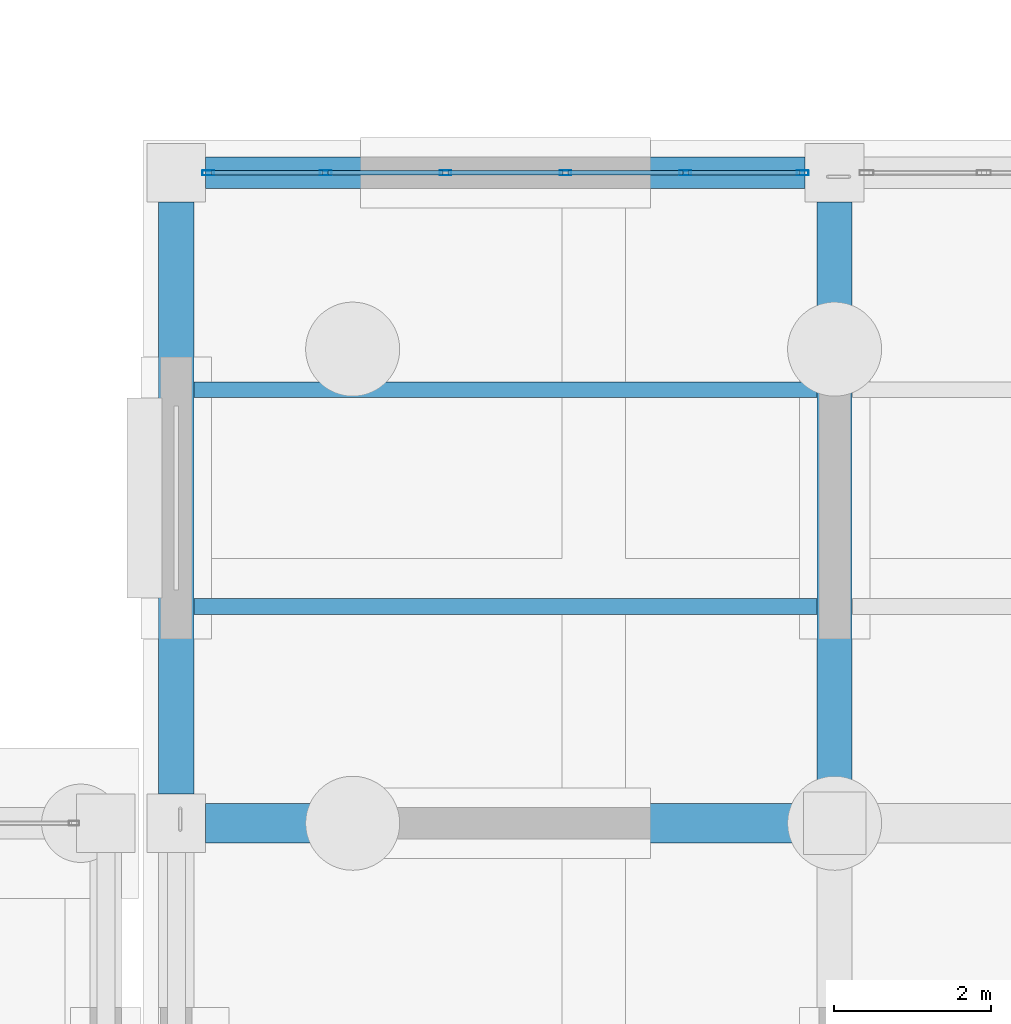
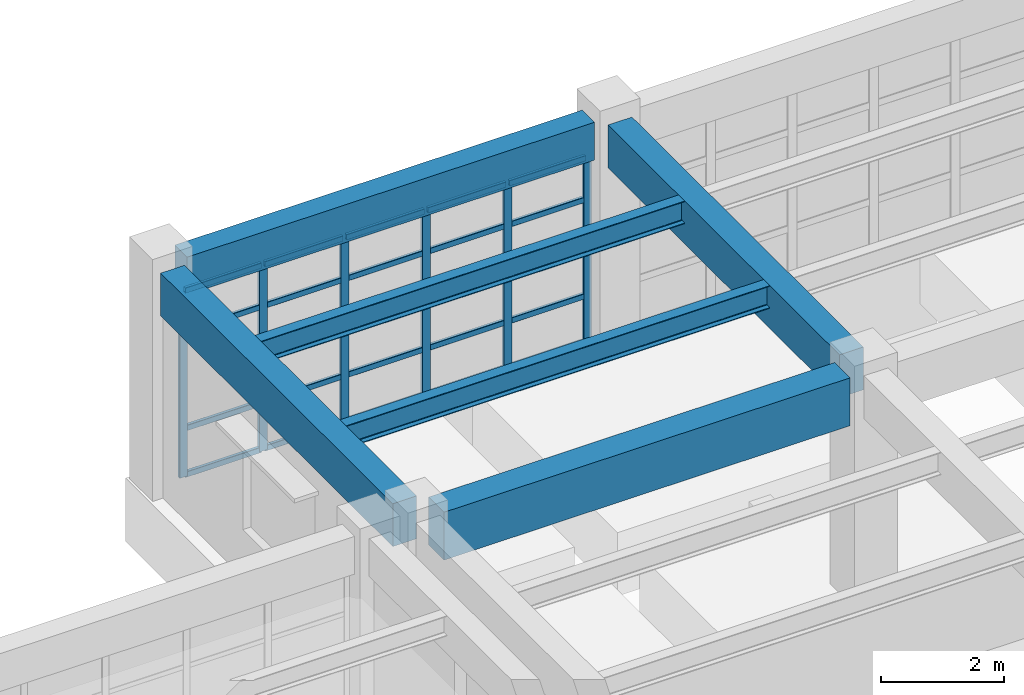
# One storey, part 37 of 111: 26 members, 6 beams, 1 element without a shape of its own.
"""IFC4 building model written with IfcOpenShell, lengths in metres."""

from ifc_helpers import new_model, si_unit, direction, frame, origin, origin_2d, place, context, subcontext, project, spatial, rectangle, hollow_rectangle, i_section, extrude, material, material_profile, profile_set, type_object, element, aggregate, save


model = new_model("IFC4")

# Units and contexts
model_context = context("Model", 3, precision=1e-05, world=origin(), true_north=direction((0.0, 1.0)))
body_context = subcontext(model_context, "Body", "Model", "MODEL_VIEW")
ifc_project = project(units=[si_unit("LENGTHUNIT", "METRE"), si_unit("AREAUNIT", "SQUARE_METRE"), si_unit("VOLUMEUNIT", "CUBIC_METRE"), si_unit("PLANEANGLEUNIT", "RADIAN"), si_unit("MASSUNIT", "GRAM", prefix="KILO")], contexts=[model_context])

# Site, building, storey
site_placement = place(None, origin())
site = spatial("IfcSite", under=ifc_project, at=site_placement, CompositionType="ELEMENT")
building_placement = place(site_placement, origin())
building = spatial("IfcBuilding", under=site, at=building_placement, Name="Canglan Escarpment Cableway Terminal", CompositionType="ELEMENT")
storey_placement = place(building_placement, frame((0.0, 0.0, 4.800048828125)))
storey = spatial("IfcBuildingStorey", under=building, at=storey_placement, Name="L01", CompositionType="ELEMENT", Elevation=4.800048828125)

# Beams
ifc_material_1 = material(Name="Concrete C40", Category="concrete")
ifc_material_profile_1 = material_profile(ifc_material_1, rectangle(XDim=0.449951171875, YDim=0.85009765625, at=origin_2d()), Name="RC 450x850")
ifc_profile_set_1 = profile_set([ifc_material_profile_1], Name="Concrete C40")
beam_type_1 = type_object("IfcBeamType", Name="BM-RC450x850", PredefinedType="BEAM", material=ifc_profile_set_1)
beam_1_placement = place(storey_placement, frame((111.5, 25.175048828125, 4.054931640625), z_axis=(0.0, 1.0, 0.0), x_axis=(-1.0, 0.0, 0.0)))
element("IfcBeam", 1, at=beam_1_placement, inside=storey, type_object=beam_type_1, Name="Primary transverse girder B-02", PredefinedType="BEAM", context=body_context, shape_type="SweptSolid", body=[
    extrude(rectangle(XDim=0.449951171875, YDim=0.85009765625, at=origin_2d()), origin(), (0.0, 0.0, 1.0), 7.550048828125),
])
beam_2_placement = place(storey_placement, frame((119.89990234375, 25.199951171875, 4.054931640625), z_axis=(0.0, 1.0, 0.0), x_axis=(-1.0, 0.0, 0.0)))
element("IfcBeam", 2, at=beam_2_placement, inside=storey, type_object=beam_type_1, Name="Primary transverse girder B-02", PredefinedType="BEAM", context=body_context, shape_type="SweptSolid", body=[
    extrude(rectangle(XDim=0.449951171875, YDim=0.85009765625, at=origin_2d()), origin(), (0.0, 0.0, 1.0), 7.525146484375),
])
ifc_material_2 = material(Name="Concrete C50", Category="concrete")
ifc_material_profile_2 = material_profile(ifc_material_2, rectangle(XDim=0.5, YDim=0.949951171875, at=origin_2d()), Name="RC 500x950")
ifc_profile_set_2 = profile_set([ifc_material_profile_2], Name="Concrete C50")
beam_type_2 = type_object("IfcBeamType", Name="BM-RC500x950", PredefinedType="BEAM", material=ifc_profile_set_2)
beam_3_placement = place(storey_placement, frame((111.875, 24.800048828125, 4.0048828125), z_axis=(1.0, 0.0, 0.0), x_axis=(0.0, 1.0, 0.0)))
element("IfcBeam", 3, at=beam_3_placement, inside=storey, type_object=beam_type_2, Name="Primary structural girder B-01", PredefinedType="BEAM", context=body_context, shape_type="SweptSolid", body=[
    extrude(rectangle(XDim=0.5, YDim=0.949951171875, at=origin_2d()), origin(), (0.0, 0.0, 1.0), 7.625),
])

# Curtain wall, members
ifc_material_3 = material(Name="Anodized bronze aluminium and Low-E double glazing", Category="aluminium")
curtain_wall_type = type_object("IfcCurtainWallType", Name="CW-BAY-7650x3725", PredefinedType="NOTDEFINED", material=ifc_material_3)
curtain_wall_placement = place(storey_placement, origin())
curtain_wall = element("IfcCurtainWall", 4, at=curtain_wall_placement, inside=storey, type_object=curtain_wall_type, Name="Classical bay-between-piers glazed curtain wall CW-01", PredefinedType="NOTDEFINED")
ifc_material_4 = material(Name="Thermally broken anodized aluminium 6063-T6", Category="aluminium")
ifc_material_profile_3 = material_profile(ifc_material_4, hollow_rectangle(XDim=0.06494140625, YDim=0.14990234375, WallThickness=0.00341796875, InnerFilletRadius=0.00341796875, OuterFilletRadius=0.007080078125, at=origin_2d()), Name="ALU-MULL 65x150x3.5")
ifc_profile_set_3 = profile_set([ifc_material_profile_3], Name="Thermally broken anodized aluminium 6063-T6")
member_type_1 = type_object("IfcMemberType", Name="CWM-02", PredefinedType="MULLION", material=ifc_profile_set_3)
member_1_placement = place(storey_placement, frame((119.492431640625, 33.10009765625, 0.0), z_axis=(0.0, 0.0, 1.0), x_axis=(0.0, -1.0, 0.0)))
member_1 = element("IfcMember", 5, at=member_1_placement, type_object=member_type_1, Name="CW-01 mullion 1", PredefinedType="MULLION", context=body_context, shape_type="SweptSolid", body=[
    extrude(hollow_rectangle(XDim=0.06494140625, YDim=0.14990234375, WallThickness=0.00341796875, InnerFilletRadius=0.00341796875, OuterFilletRadius=0.007080078125, at=origin_2d()), origin(), (0.0, 0.0, 1.0), 3.71484375),
])
member_2_placement = place(storey_placement, frame((117.9951171875, 33.10009765625, 0.0), z_axis=(0.0, 0.0, 1.0), x_axis=(0.0, -1.0, 0.0)))
member_2 = element("IfcMember", 6, at=member_2_placement, type_object=member_type_1, Name="CW-01 mullion 2", PredefinedType="MULLION", context=body_context, shape_type="SweptSolid", body=[
    extrude(hollow_rectangle(XDim=0.06494140625, YDim=0.14990234375, WallThickness=0.00341796875, InnerFilletRadius=0.00341796875, OuterFilletRadius=0.007080078125, at=origin_2d()), origin(), (0.0, 0.0, 1.0), 3.71484375),
])
member_3_placement = place(storey_placement, frame((116.465087890625, 33.10009765625, 0.0), z_axis=(0.0, 0.0, 1.0), x_axis=(0.0, -1.0, 0.0)))
member_3 = element("IfcMember", 7, at=member_3_placement, type_object=member_type_1, Name="CW-01 mullion 3", PredefinedType="MULLION", context=body_context, shape_type="SweptSolid", body=[
    extrude(hollow_rectangle(XDim=0.06494140625, YDim=0.14990234375, WallThickness=0.00341796875, InnerFilletRadius=0.00341796875, OuterFilletRadius=0.007080078125, at=origin_2d()), origin(), (0.0, 0.0, 1.0), 3.71484375),
])
member_4_placement = place(storey_placement, frame((114.93505859375, 33.10009765625, 0.0), z_axis=(0.0, 0.0, 1.0), x_axis=(0.0, -1.0, 0.0)))
member_4 = element("IfcMember", 8, at=member_4_placement, type_object=member_type_1, Name="CW-01 mullion 4", PredefinedType="MULLION", context=body_context, shape_type="SweptSolid", body=[
    extrude(hollow_rectangle(XDim=0.06494140625, YDim=0.14990234375, WallThickness=0.00341796875, InnerFilletRadius=0.00341796875, OuterFilletRadius=0.007080078125, at=origin_2d()), origin(), (0.0, 0.0, 1.0), 3.71484375),
])
member_5_placement = place(storey_placement, frame((113.405029296875, 33.10009765625, 0.0), z_axis=(0.0, 0.0, 1.0), x_axis=(0.0, -1.0, 0.0)))
member_5 = element("IfcMember", 9, at=member_5_placement, type_object=member_type_1, Name="CW-01 mullion 5", PredefinedType="MULLION", context=body_context, shape_type="SweptSolid", body=[
    extrude(hollow_rectangle(XDim=0.06494140625, YDim=0.14990234375, WallThickness=0.00341796875, InnerFilletRadius=0.00341796875, OuterFilletRadius=0.007080078125, at=origin_2d()), origin(), (0.0, 0.0, 1.0), 3.71484375),
])
member_6_placement = place(storey_placement, frame((111.907470703125, 33.10009765625, 0.0), z_axis=(0.0, 0.0, 1.0), x_axis=(0.0, -1.0, 0.0)))
member_6 = element("IfcMember", 10, at=member_6_placement, type_object=member_type_1, Name="CW-01 mullion 6", PredefinedType="MULLION", context=body_context, shape_type="SweptSolid", body=[
    extrude(hollow_rectangle(XDim=0.06494140625, YDim=0.14990234375, WallThickness=0.00341796875, InnerFilletRadius=0.00341796875, OuterFilletRadius=0.007080078125, at=origin_2d()), origin(), (0.0, 0.0, 1.0), 3.71484375),
])
ifc_material_profile_4 = material_profile(ifc_material_4, hollow_rectangle(XDim=0.06005859375, YDim=0.110107421875, WallThickness=0.0029296875, InnerFilletRadius=0.0029296875, OuterFilletRadius=0.006103515625, at=origin_2d()), Name="ALU-TRAN 60x110x3")
ifc_profile_set_4 = profile_set([ifc_material_profile_4], Name="Thermally broken anodized aluminium 6063-T6")
member_type_2 = type_object("IfcMemberType", Name="CWT-02", PredefinedType="USERDEFINED", material=ifc_profile_set_4)
member_7_placement = place(storey_placement, frame((119.4599609375, 33.10009765625, 0.030029296875), z_axis=(-1.0, 0.0, 0.0), x_axis=(0.0, -1.0, 0.0)))
member_7 = element("IfcMember", 11, at=member_7_placement, type_object=member_type_2, Name="CW-01 transom 1.1", ObjectType="TRANSOM", PredefinedType="USERDEFINED", context=body_context, shape_type="SweptSolid", body=[
    extrude(hollow_rectangle(XDim=0.06005859375, YDim=0.110107421875, WallThickness=0.0029296875, InnerFilletRadius=0.0029296875, OuterFilletRadius=0.006103515625, at=origin_2d()), origin(), (0.0, 0.0, 1.0), 1.432373046875),
])
member_8_placement = place(storey_placement, frame((119.4599609375, 33.10009765625, 0.949951171875), z_axis=(-1.0, 0.0, 0.0), x_axis=(0.0, -1.0, 0.0)))
member_8 = element("IfcMember", 12, at=member_8_placement, type_object=member_type_2, Name="CW-01 transom 1.2", ObjectType="TRANSOM", PredefinedType="USERDEFINED", context=body_context, shape_type="SweptSolid", body=[
    extrude(hollow_rectangle(XDim=0.06005859375, YDim=0.110107421875, WallThickness=0.0029296875, InnerFilletRadius=0.0029296875, OuterFilletRadius=0.006103515625, at=origin_2d()), origin(), (0.0, 0.0, 1.0), 1.432373046875),
])
member_9_placement = place(storey_placement, frame((119.4599609375, 33.10009765625, 2.864990234375), z_axis=(-1.0, 0.0, 0.0), x_axis=(0.0, -1.0, 0.0)))
member_9 = element("IfcMember", 13, at=member_9_placement, type_object=member_type_2, Name="CW-01 transom 1.3", ObjectType="TRANSOM", PredefinedType="USERDEFINED", context=body_context, shape_type="SweptSolid", body=[
    extrude(hollow_rectangle(XDim=0.06005859375, YDim=0.110107421875, WallThickness=0.0029296875, InnerFilletRadius=0.0029296875, OuterFilletRadius=0.006103515625, at=origin_2d()), origin(), (0.0, 0.0, 1.0), 1.432373046875),
])
member_10_placement = place(storey_placement, frame((119.4599609375, 33.10009765625, 3.68505859375), z_axis=(-1.0, 0.0, 0.0), x_axis=(0.0, -1.0, 0.0)))
member_10 = element("IfcMember", 14, at=member_10_placement, type_object=member_type_2, Name="CW-01 transom 1.4", ObjectType="TRANSOM", PredefinedType="USERDEFINED", context=body_context, shape_type="SweptSolid", body=[
    extrude(hollow_rectangle(XDim=0.06005859375, YDim=0.110107421875, WallThickness=0.0029296875, InnerFilletRadius=0.0029296875, OuterFilletRadius=0.006103515625, at=origin_2d()), origin(), (0.0, 0.0, 1.0), 1.432373046875),
])
member_11_placement = place(storey_placement, frame((117.96240234375, 33.10009765625, 0.030029296875), z_axis=(-1.0, 0.0, 0.0), x_axis=(0.0, -1.0, 0.0)))
member_11 = element("IfcMember", 15, at=member_11_placement, type_object=member_type_2, Name="CW-01 transom 2.1", ObjectType="TRANSOM", PredefinedType="USERDEFINED", context=body_context, shape_type="SweptSolid", body=[
    extrude(hollow_rectangle(XDim=0.06005859375, YDim=0.110107421875, WallThickness=0.0029296875, InnerFilletRadius=0.0029296875, OuterFilletRadius=0.006103515625, at=origin_2d()), origin(), (0.0, 0.0, 1.0), 1.46484375),
])
member_12_placement = place(storey_placement, frame((117.96240234375, 33.10009765625, 0.949951171875), z_axis=(-1.0, 0.0, 0.0), x_axis=(0.0, -1.0, 0.0)))
member_12 = element("IfcMember", 16, at=member_12_placement, type_object=member_type_2, Name="CW-01 transom 2.2", ObjectType="TRANSOM", PredefinedType="USERDEFINED", context=body_context, shape_type="SweptSolid", body=[
    extrude(hollow_rectangle(XDim=0.06005859375, YDim=0.110107421875, WallThickness=0.0029296875, InnerFilletRadius=0.0029296875, OuterFilletRadius=0.006103515625, at=origin_2d()), origin(), (0.0, 0.0, 1.0), 1.46484375),
])
member_13_placement = place(storey_placement, frame((117.96240234375, 33.10009765625, 2.864990234375), z_axis=(-1.0, 0.0, 0.0), x_axis=(0.0, -1.0, 0.0)))
member_13 = element("IfcMember", 17, at=member_13_placement, type_object=member_type_2, Name="CW-01 transom 2.3", ObjectType="TRANSOM", PredefinedType="USERDEFINED", context=body_context, shape_type="SweptSolid", body=[
    extrude(hollow_rectangle(XDim=0.06005859375, YDim=0.110107421875, WallThickness=0.0029296875, InnerFilletRadius=0.0029296875, OuterFilletRadius=0.006103515625, at=origin_2d()), origin(), (0.0, 0.0, 1.0), 1.46484375),
])
member_14_placement = place(storey_placement, frame((117.96240234375, 33.10009765625, 3.68505859375), z_axis=(-1.0, 0.0, 0.0), x_axis=(0.0, -1.0, 0.0)))
member_14 = element("IfcMember", 18, at=member_14_placement, type_object=member_type_2, Name="CW-01 transom 2.4", ObjectType="TRANSOM", PredefinedType="USERDEFINED", context=body_context, shape_type="SweptSolid", body=[
    extrude(hollow_rectangle(XDim=0.06005859375, YDim=0.110107421875, WallThickness=0.0029296875, InnerFilletRadius=0.0029296875, OuterFilletRadius=0.006103515625, at=origin_2d()), origin(), (0.0, 0.0, 1.0), 1.46484375),
])
member_15_placement = place(storey_placement, frame((116.4326171875, 33.10009765625, 0.030029296875), z_axis=(-1.0, 0.0, 0.0), x_axis=(0.0, -1.0, 0.0)))
member_15 = element("IfcMember", 19, at=member_15_placement, type_object=member_type_2, Name="CW-01 transom 3.1", ObjectType="TRANSOM", PredefinedType="USERDEFINED", context=body_context, shape_type="SweptSolid", body=[
    extrude(hollow_rectangle(XDim=0.06005859375, YDim=0.110107421875, WallThickness=0.0029296875, InnerFilletRadius=0.0029296875, OuterFilletRadius=0.006103515625, at=origin_2d()), origin(), (0.0, 0.0, 1.0), 1.465087890625),
])
member_16_placement = place(storey_placement, frame((116.4326171875, 33.10009765625, 0.949951171875), z_axis=(-1.0, 0.0, 0.0), x_axis=(0.0, -1.0, 0.0)))
member_16 = element("IfcMember", 20, at=member_16_placement, type_object=member_type_2, Name="CW-01 transom 3.2", ObjectType="TRANSOM", PredefinedType="USERDEFINED", context=body_context, shape_type="SweptSolid", body=[
    extrude(hollow_rectangle(XDim=0.06005859375, YDim=0.110107421875, WallThickness=0.0029296875, InnerFilletRadius=0.0029296875, OuterFilletRadius=0.006103515625, at=origin_2d()), origin(), (0.0, 0.0, 1.0), 1.465087890625),
])
member_17_placement = place(storey_placement, frame((116.4326171875, 33.10009765625, 2.864990234375), z_axis=(-1.0, 0.0, 0.0), x_axis=(0.0, -1.0, 0.0)))
member_17 = element("IfcMember", 21, at=member_17_placement, type_object=member_type_2, Name="CW-01 transom 3.3", ObjectType="TRANSOM", PredefinedType="USERDEFINED", context=body_context, shape_type="SweptSolid", body=[
    extrude(hollow_rectangle(XDim=0.06005859375, YDim=0.110107421875, WallThickness=0.0029296875, InnerFilletRadius=0.0029296875, OuterFilletRadius=0.006103515625, at=origin_2d()), origin(), (0.0, 0.0, 1.0), 1.465087890625),
])
member_18_placement = place(storey_placement, frame((116.4326171875, 33.10009765625, 3.68505859375), z_axis=(-1.0, 0.0, 0.0), x_axis=(0.0, -1.0, 0.0)))
member_18 = element("IfcMember", 22, at=member_18_placement, type_object=member_type_2, Name="CW-01 transom 3.4", ObjectType="TRANSOM", PredefinedType="USERDEFINED", context=body_context, shape_type="SweptSolid", body=[
    extrude(hollow_rectangle(XDim=0.06005859375, YDim=0.110107421875, WallThickness=0.0029296875, InnerFilletRadius=0.0029296875, OuterFilletRadius=0.006103515625, at=origin_2d()), origin(), (0.0, 0.0, 1.0), 1.465087890625),
])
member_19_placement = place(storey_placement, frame((114.902587890625, 33.10009765625, 0.030029296875), z_axis=(-1.0, 0.0, 0.0), x_axis=(0.0, -1.0, 0.0)))
member_19 = element("IfcMember", 23, at=member_19_placement, type_object=member_type_2, Name="CW-01 transom 4.1", ObjectType="TRANSOM", PredefinedType="USERDEFINED", context=body_context, shape_type="SweptSolid", body=[
    extrude(hollow_rectangle(XDim=0.06005859375, YDim=0.110107421875, WallThickness=0.0029296875, InnerFilletRadius=0.0029296875, OuterFilletRadius=0.006103515625, at=origin_2d()), origin(), (0.0, 0.0, 1.0), 1.465087890625),
])
member_20_placement = place(storey_placement, frame((114.902587890625, 33.10009765625, 0.949951171875), z_axis=(-1.0, 0.0, 0.0), x_axis=(0.0, -1.0, 0.0)))
member_20 = element("IfcMember", 24, at=member_20_placement, type_object=member_type_2, Name="CW-01 transom 4.2", ObjectType="TRANSOM", PredefinedType="USERDEFINED", context=body_context, shape_type="SweptSolid", body=[
    extrude(hollow_rectangle(XDim=0.06005859375, YDim=0.110107421875, WallThickness=0.0029296875, InnerFilletRadius=0.0029296875, OuterFilletRadius=0.006103515625, at=origin_2d()), origin(), (0.0, 0.0, 1.0), 1.465087890625),
])
member_21_placement = place(storey_placement, frame((114.902587890625, 33.10009765625, 2.864990234375), z_axis=(-1.0, 0.0, 0.0), x_axis=(0.0, -1.0, 0.0)))
member_21 = element("IfcMember", 25, at=member_21_placement, type_object=member_type_2, Name="CW-01 transom 4.3", ObjectType="TRANSOM", PredefinedType="USERDEFINED", context=body_context, shape_type="SweptSolid", body=[
    extrude(hollow_rectangle(XDim=0.06005859375, YDim=0.110107421875, WallThickness=0.0029296875, InnerFilletRadius=0.0029296875, OuterFilletRadius=0.006103515625, at=origin_2d()), origin(), (0.0, 0.0, 1.0), 1.465087890625),
])
member_22_placement = place(storey_placement, frame((114.902587890625, 33.10009765625, 3.68505859375), z_axis=(-1.0, 0.0, 0.0), x_axis=(0.0, -1.0, 0.0)))
member_22 = element("IfcMember", 26, at=member_22_placement, type_object=member_type_2, Name="CW-01 transom 4.4", ObjectType="TRANSOM", PredefinedType="USERDEFINED", context=body_context, shape_type="SweptSolid", body=[
    extrude(hollow_rectangle(XDim=0.06005859375, YDim=0.110107421875, WallThickness=0.0029296875, InnerFilletRadius=0.0029296875, OuterFilletRadius=0.006103515625, at=origin_2d()), origin(), (0.0, 0.0, 1.0), 1.465087890625),
])
member_23_placement = place(storey_placement, frame((113.37255859375, 33.10009765625, 0.030029296875), z_axis=(-1.0, 0.0, 0.0), x_axis=(0.0, -1.0, 0.0)))
member_23 = element("IfcMember", 27, at=member_23_placement, type_object=member_type_2, Name="CW-01 transom 5.1", ObjectType="TRANSOM", PredefinedType="USERDEFINED", context=body_context, shape_type="SweptSolid", body=[
    extrude(hollow_rectangle(XDim=0.06005859375, YDim=0.110107421875, WallThickness=0.0029296875, InnerFilletRadius=0.0029296875, OuterFilletRadius=0.006103515625, at=origin_2d()), origin(), (0.0, 0.0, 1.0), 1.4326171875),
])
member_24_placement = place(storey_placement, frame((113.37255859375, 33.10009765625, 0.949951171875), z_axis=(-1.0, 0.0, 0.0), x_axis=(0.0, -1.0, 0.0)))
member_24 = element("IfcMember", 28, at=member_24_placement, type_object=member_type_2, Name="CW-01 transom 5.2", ObjectType="TRANSOM", PredefinedType="USERDEFINED", context=body_context, shape_type="SweptSolid", body=[
    extrude(hollow_rectangle(XDim=0.06005859375, YDim=0.110107421875, WallThickness=0.0029296875, InnerFilletRadius=0.0029296875, OuterFilletRadius=0.006103515625, at=origin_2d()), origin(), (0.0, 0.0, 1.0), 1.4326171875),
])
member_25_placement = place(storey_placement, frame((113.37255859375, 33.10009765625, 2.864990234375), z_axis=(-1.0, 0.0, 0.0), x_axis=(0.0, -1.0, 0.0)))
member_25 = element("IfcMember", 29, at=member_25_placement, type_object=member_type_2, Name="CW-01 transom 5.3", ObjectType="TRANSOM", PredefinedType="USERDEFINED", context=body_context, shape_type="SweptSolid", body=[
    extrude(hollow_rectangle(XDim=0.06005859375, YDim=0.110107421875, WallThickness=0.0029296875, InnerFilletRadius=0.0029296875, OuterFilletRadius=0.006103515625, at=origin_2d()), origin(), (0.0, 0.0, 1.0), 1.4326171875),
])
member_26_placement = place(storey_placement, frame((113.37255859375, 33.10009765625, 3.68505859375), z_axis=(-1.0, 0.0, 0.0), x_axis=(0.0, -1.0, 0.0)))
member_26 = element("IfcMember", 30, at=member_26_placement, type_object=member_type_2, Name="CW-01 transom 5.4", ObjectType="TRANSOM", PredefinedType="USERDEFINED", context=body_context, shape_type="SweptSolid", body=[
    extrude(hollow_rectangle(XDim=0.06005859375, YDim=0.110107421875, WallThickness=0.0029296875, InnerFilletRadius=0.0029296875, OuterFilletRadius=0.006103515625, at=origin_2d()), origin(), (0.0, 0.0, 1.0), 1.4326171875),
])
aggregate(curtain_wall, [member_1, member_2, member_3, member_4, member_5, member_6, member_7, member_8, member_9, member_10, member_11, member_12, member_13, member_14, member_15, member_16, member_17, member_18, member_19, member_20, member_21, member_22, member_23, member_24, member_25, member_26])

# Beams
ifc_material_5 = material(Name="Steel Q355B", Category="steel")
ifc_material_profile_5 = material_profile(ifc_material_5, i_section(OverallWidth=0.199951171875, OverallDepth=0.449951171875, WebThickness=0.009033203125, FlangeThickness=0.013916015625, FilletRadius=0.01806640625, at=origin_2d()), Name="HN 450x200x9x14")
ifc_profile_set_5 = profile_set([ifc_material_profile_5], Name="Steel Q355B")
beam_type_3 = type_object("IfcBeamType", Name="JS-HN450", PredefinedType="JOIST", material=ifc_profile_set_5)
for number, where, z_axis, x_axis, name in (
    (31, (111.72509765625, 27.566650390625, 4.2548828125), (1.0, 0.0, 0.0), (0.0, 1.0, 0.0), "Secondary composite deck joist J-02"),
    (32, (111.72509765625, 30.333251953125, 4.2548828125), (1.0, 0.0, 0.0), (0.0, 1.0, 0.0), "Secondary composite deck joist J-02"),
):
    element("IfcBeam", number, at=place(storey_placement, frame(where, z_axis=z_axis, x_axis=x_axis)), inside=storey, type_object=beam_type_3, Name=name, PredefinedType="JOIST", context=body_context, shape_type="SweptSolid", body=[
        extrude(i_section(OverallWidth=0.199951171875, OverallDepth=0.449951171875, WebThickness=0.009033203125, FlangeThickness=0.013916015625, FilletRadius=0.01806640625, at=origin_2d()), origin(), (0.0, 0.0, 1.0), 7.949951171875),
    ])
ifc_material_profile_6 = material_profile(ifc_material_1, rectangle(XDim=0.39990234375, YDim=0.75, at=origin_2d()), Name="RC 400x750")
ifc_profile_set_6 = profile_set([ifc_material_profile_6], Name="Concrete C40")
beam_type_4 = type_object("IfcBeamType", Name="SP-RC400x750", PredefinedType="SPANDREL", material=ifc_profile_set_6)
beam_4_placement = place(storey_placement, frame((111.875, 33.10009765625, 4.10498046875), z_axis=(1.0, 0.0, 0.0), x_axis=(0.0, 1.0, 0.0)))
element("IfcBeam", 33, at=beam_4_placement, inside=storey, type_object=beam_type_4, Name="Primary structural girder SP-01", PredefinedType="SPANDREL", context=body_context, shape_type="SweptSolid", body=[
    extrude(rectangle(XDim=0.39990234375, YDim=0.75, at=origin_2d()), origin(), (0.0, 0.0, 1.0), 7.64990234375),
])

save(model, "model.ifc")
